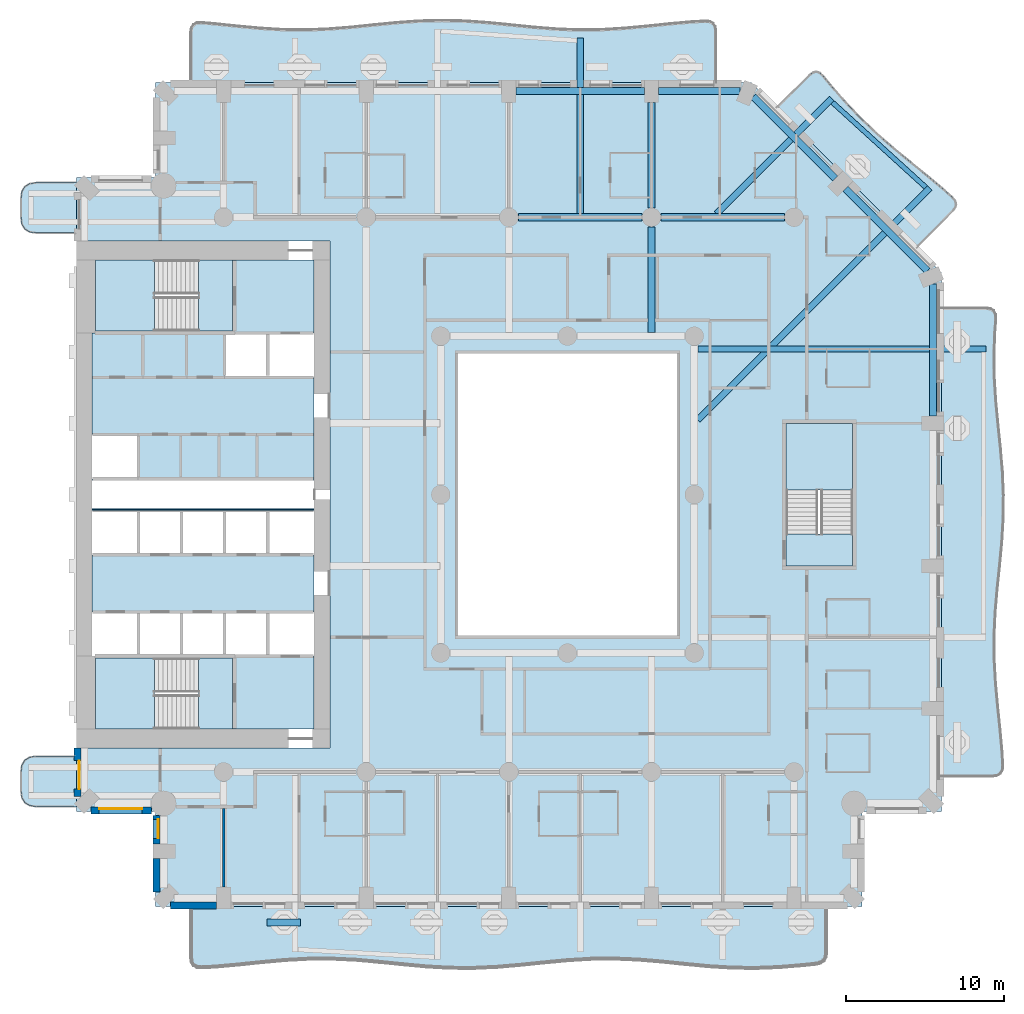
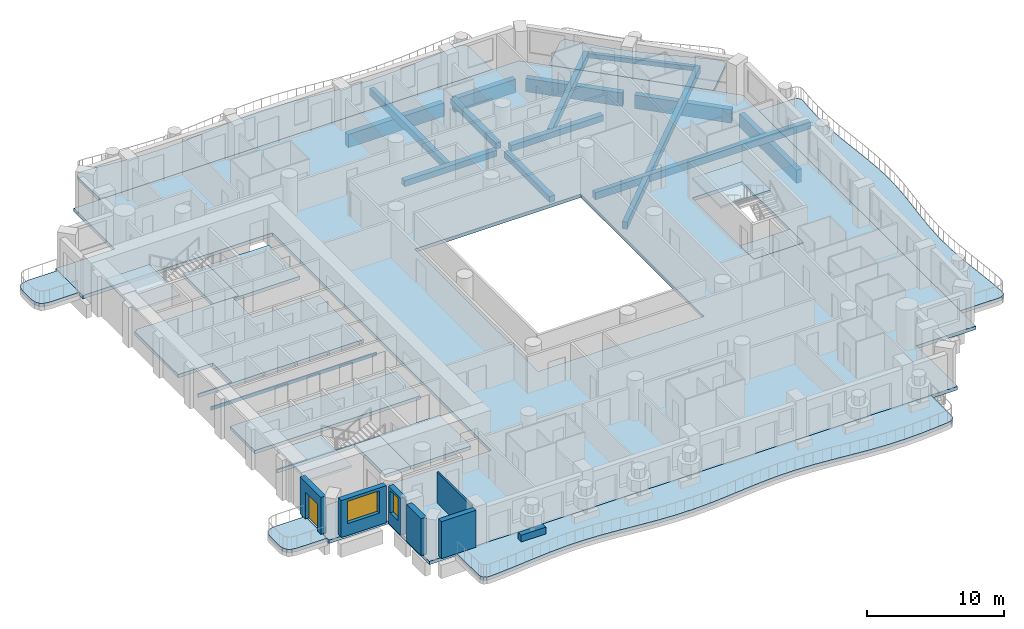
# One storey, part 2 of 20: 17 slabs, 14 beams, 7 walls, 2 windows, 1 door, 3 openings, 3 elements without a shape of their own.
"""IFC4 building model written with IfcOpenShell, lengths in metres."""

from ifc_helpers import new_model, si_unit, direction, frame, frame_2d, origin, origin_2d, place, context, subcontext, project, spatial, polyline, rectangle, outline, extrude, material, layer, layer_set, material_profile, profile_set, type_object, element, fill, aggregate, save


model = new_model("IFC4")

# Units and contexts
model_context = context("Model", 3, precision=1e-05, world=origin(), true_north=direction((0.0, 1.0)))
body_context = subcontext(model_context, "Body", "Model", "MODEL_VIEW")
ifc_project = project(units=[si_unit("LENGTHUNIT", "METRE"), si_unit("AREAUNIT", "SQUARE_METRE"), si_unit("VOLUMEUNIT", "CUBIC_METRE"), si_unit("PLANEANGLEUNIT", "RADIAN"), si_unit("MASSUNIT", "GRAM", prefix="KILO")], contexts=[model_context])

# Site, building, storey
site_placement = place(None, origin())
site = spatial("IfcSite", under=ifc_project, at=site_placement, CompositionType="ELEMENT")
building_placement = place(site_placement, origin())
building = spatial("IfcBuilding", under=site, at=building_placement, Name="Cypress Arch Tower", CompositionType="ELEMENT")
storey_placement = place(building_placement, frame((0.0, 0.0, 77.10009765625)))
storey = spatial("IfcBuildingStorey", under=building, at=storey_placement, Name="L13", CompositionType="ELEMENT", Elevation=77.10009765625)

# Beams
ifc_material_1 = material(Name="Concrete C50/60", Category="concrete")
ifc_material_profile_1 = material_profile(ifc_material_1, rectangle(XDim=0.300048828125, YDim=0.39990234375, at=origin_2d()), Name="RC 300x400")
ifc_profile_set_1 = profile_set([ifc_material_profile_1], Name="Concrete C50/60")
beam_type_1 = type_object("IfcBeamType", Name="Balcony edge beam RC 300x400 Concrete C50/60", PredefinedType="BEAM", material=ifc_profile_set_1)
beam_1_placement = place(storey_placement, frame((23.615478515625, 19.38623046875, -0.5), z_axis=(-0.739547675777, 0.673104178603, 0.0), x_axis=(-0.673104178603, -0.739547675777, 0.0)))
element("IfcBeam", 1, at=beam_1_placement, inside=storey, type_object=beam_type_1, Name="Balcony edge beam L13 A07", PredefinedType="BEAM", context=body_context, shape_type="SweptSolid", body=[
    extrude(rectangle(XDim=0.300048828125, YDim=0.39990234375, at=origin_2d()), origin(), (0.0, 0.0, 1.0), 7.9697265625),
])
ifc_material_2 = material(Name="Concrete C50/60", Category="concrete")
ifc_material_profile_2 = material_profile(ifc_material_2, rectangle(XDim=0.39990234375, YDim=0.64990234375, at=origin_2d()), Name="RC 400x650")
ifc_profile_set_2 = profile_set([ifc_material_profile_2], Name="Concrete C50/60")
beam_type_2 = type_object("IfcBeamType", Name="Cantilever beam RC 400x650 Concrete C50/60", PredefinedType="BEAM", material=ifc_profile_set_2)
beam_2_placement = place(storey_placement, frame((9.22509765625, 9.18798828125, -0.625), z_axis=(1.0, 0.0, 0.0), x_axis=(0.0, 1.0, 0.0)))
element("IfcBeam", 2, at=beam_2_placement, inside=storey, type_object=beam_type_2, Name="Cantilever beam L13 A06 2", PredefinedType="BEAM", context=body_context, shape_type="SweptSolid", body=[
    extrude(rectangle(XDim=0.39990234375, YDim=0.64990234375, at=origin_2d()), origin(), (0.0, 0.0, 1.0), 18.190673828125),
])
beam_3_placement = place(storey_placement, frame((9.22509765625, 4.712890625, -0.625), z_axis=(0.707106781187, 0.707106781187, 0.0), x_axis=(-0.707106781187, 0.707106781187, 0.0)))
element("IfcBeam", 3, at=beam_3_placement, inside=storey, type_object=beam_type_2, Name="Cantilever beam L13 A07 1", PredefinedType="BEAM", context=body_context, shape_type="SweptSolid", body=[
    extrude(rectangle(XDim=0.39990234375, YDim=0.64990234375, at=origin_2d()), origin(), (0.0, 0.0, 1.0), 20.701171875),
])
beam_4_placement = place(storey_placement, frame((10.412841796875, 17.72509765625, -0.625), z_axis=(0.707106781187, 0.707106781187, 0.0), x_axis=(-0.707106781187, 0.707106781187, 0.0)))
element("IfcBeam", 4, at=beam_4_placement, inside=storey, type_object=beam_type_2, Name="Cantilever beam L13 A07 2", PredefinedType="BEAM", context=body_context, shape_type="SweptSolid", body=[
    extrude(rectangle(XDim=0.39990234375, YDim=0.64990234375, at=origin_2d()), origin(), (0.0, 0.0, 1.0), 10.285888671875),
])
beam_5_placement = place(storey_placement, frame((1.800048828125, 17.72509765625, -0.625), z_axis=(0.0, 1.0, 0.0), x_axis=(-1.0, 0.0, 0.0)))
element("IfcBeam", 5, at=beam_5_placement, inside=storey, type_object=beam_type_2, Name="Cantilever beam L13 A08 1", PredefinedType="BEAM", context=body_context, shape_type="SweptSolid", body=[
    extrude(rectangle(XDim=0.39990234375, YDim=0.64990234375, at=origin_2d()), origin(), (0.0, 0.0, 1.0), 11.07861328125),
])
ifc_material_3 = material(Name="Concrete C50/60", Category="concrete")
ifc_material_profile_3 = material_profile(ifc_material_3, rectangle(XDim=0.449951171875, YDim=0.550048828125, at=origin_2d()), Name="RC 450x550")
ifc_profile_set_3 = profile_set([ifc_material_profile_3], Name="Concrete C50/60")
beam_type_3 = type_object("IfcBeamType", Name="Floor beam RC 450x550 Concrete C50/60", PredefinedType="BEAM", material=ifc_profile_set_3)
for number, where, z_axis, x_axis, name in (
    (6, (-2.10009765625, 17.5, -0.5751953125), (1.0, 0.0, 0.0), (0.0, 1.0, 0.0), "Floor beam L13 FB017"),
    (7, (6.89990234375, 17.5, -0.5751953125), (1.0, 0.0, 0.0), (0.0, 1.0, 0.0), "Floor beam L13 FB018"),
):
    element("IfcBeam", number, at=place(storey_placement, frame(where, z_axis=z_axis, x_axis=x_axis)), inside=storey, type_object=beam_type_3, Name=name, PredefinedType="BEAM", context=body_context, shape_type="SweptSolid", body=[
        extrude(rectangle(XDim=0.449951171875, YDim=0.550048828125, at=origin_2d()), origin(), (0.0, 0.0, 1.0), 7.800048828125),
    ])
beam_6_placement = place(storey_placement, frame((6.300048828125, 10.22509765625, -0.5751953125), z_axis=(0.0, 1.0, 0.0), x_axis=(-1.0, 0.0, 0.0)))
element("IfcBeam", 8, at=beam_6_placement, inside=storey, type_object=beam_type_3, Name="Floor beam L13 FB032", PredefinedType="BEAM", context=body_context, shape_type="SweptSolid", body=[
    extrude(rectangle(XDim=0.449951171875, YDim=0.550048828125, at=origin_2d()), origin(), (0.0, 0.0, 1.0), 6.6748046875),
])
beam_7_placement = place(storey_placement, frame((6.300048828125, 18.10009765625, -0.5751953125), z_axis=(0.0, 1.0, 0.0), x_axis=(-1.0, 0.0, 0.0)))
element("IfcBeam", 9, at=beam_7_placement, inside=storey, type_object=beam_type_3, Name="Floor beam L13 FB033", PredefinedType="BEAM", context=body_context, shape_type="SweptSolid", body=[
    extrude(rectangle(XDim=0.449951171875, YDim=0.550048828125, at=origin_2d()), origin(), (0.0, 0.0, 1.0), 6.64990234375),
])
ifc_material_4 = material(Name="Concrete C50/60", Category="concrete")
ifc_material_profile_4 = material_profile(ifc_material_4, rectangle(XDim=0.449951171875, YDim=1.199951171875, at=origin_2d()), Name="RC 450x1200")
ifc_profile_set_4 = profile_set([ifc_material_profile_4], Name="Concrete C50/60")
beam_type_4 = type_object("IfcBeamType", Name="Spandrel beam RC 450x1200 Concrete C50/60", PredefinedType="SPANDREL", material=ifc_profile_set_4)
beam_8_placement = place(storey_placement, frame((24.074951171875, 4.949951171875, -1.550048828125), z_axis=(0.0, 1.0, 0.0), x_axis=(-1.0, 0.0, 0.0)))
element("IfcBeam", 10, at=beam_8_placement, inside=storey, type_object=beam_type_4, Name="Spandrel beam L13 BA06-3", PredefinedType="SPANDREL", context=body_context, shape_type="SweptSolid", body=[
    extrude(rectangle(XDim=0.449951171875, YDim=1.199951171875, at=origin_2d()), origin(), (0.0, 0.0, 1.0), 8.345458984375),
])
for number, where, z_axis, x_axis, name in (
    (11, (23.73046875, 14.126953125, -1.550048828125), (-0.707106781187, 0.707106781187, 0.0), (-0.707106781187, -0.707106781187, 0.0), "Spandrel beam L13 BA07-0"),
    (12, (17.91064453125, 19.947021484375, -1.550048828125), (-0.707106781187, 0.707106781187, 0.0), (-0.707106781187, -0.707106781187, 0.0), "Spandrel beam L13 BA07-1"),
):
    element("IfcBeam", number, at=place(storey_placement, frame(where, z_axis=z_axis, x_axis=x_axis)), inside=storey, type_object=beam_type_4, Name=name, PredefinedType="SPANDREL", context=body_context, shape_type="SweptSolid", body=[
        extrude(rectangle(XDim=0.449951171875, YDim=1.199951171875, at=origin_2d()), origin(), (0.0, 0.0, 1.0), 7.330810546875),
    ])
beam_9_placement = place(storey_placement, frame((11.8955078125, 25.47509765625, -1.550048828125), z_axis=(-1.0, 0.0, 0.0), x_axis=(0.0, -1.0, 0.0)))
element("IfcBeam", 13, at=beam_9_placement, inside=storey, type_object=beam_type_4, Name="Spandrel beam L13 BA08-0", PredefinedType="SPANDREL", context=body_context, shape_type="SweptSolid", body=[
    extrude(rectangle(XDim=0.449951171875, YDim=1.199951171875, at=origin_2d()), origin(), (0.0, 0.0, 1.0), 5.1455078125),
])
beam_10_placement = place(storey_placement, frame((5.85009765625, 25.47509765625, -1.550048828125), z_axis=(-1.0, 0.0, 0.0), x_axis=(0.0, -1.0, 0.0)))
element("IfcBeam", 14, at=beam_10_placement, inside=storey, type_object=beam_type_4, Name="Spandrel beam L13 BA08-1", PredefinedType="SPANDREL", context=body_context, shape_type="SweptSolid", body=[
    extrude(rectangle(XDim=0.449951171875, YDim=1.199951171875, at=origin_2d()), origin(), (0.0, 0.0, 1.0), 8.10009765625),
])

# Slabs
ifc_material_5 = material(Name="Concrete C40/50", Category="concrete")
ifc_layer_1 = layer(ifc_material_5, 0.300048828125)
ifc_layer_set_1 = layer_set([ifc_layer_1], Name="Balcony slab BS300")
slab_type_1 = type_object("IfcSlabType", Name="Balcony slab BS300", PredefinedType="USERDEFINED", material=ifc_layer_set_1)
slab_1_placement = place(storey_placement, frame((0.0, 0.0, -0.300048828125)))
element("IfcSlab", 15, at=slab_1_placement, inside=storey, type_object=slab_type_1, Name="Balcony slab L13-A00W0", ObjectType="BALCONY SLAB", PredefinedType="USERDEFINED", context=body_context, shape_type="SweptSolid", body=[
    extrude(outline(polyline([(-30.0, 19.699951171875), (-32.5, 19.699951171875), (-32.9375, 19.637451171875), (-33.25, 19.449951171875), (-33.4375, 19.137451171875), (-33.5, 18.699951171875), (-33.5, 17.5), (-33.4375, 17.0625), (-33.25, 16.75), (-32.9375, 16.5625), (-32.5, 16.5), (-30.0, 16.5), (-30.0, 19.699951171875)])), origin(), (0.0, 0.0, 1.0), 0.300048828125),
])
slab_2_placement = place(storey_placement, frame((0.0, 0.0, -0.300048828125)))
element("IfcSlab", 16, at=slab_2_placement, inside=storey, type_object=slab_type_1, Name="Balcony slab L13-A00W1", ObjectType="BALCONY SLAB", PredefinedType="USERDEFINED", context=body_context, shape_type="SweptSolid", body=[
    extrude(outline(polyline([(-30.0, -16.5), (-32.5, -16.5), (-32.9375, -16.5625), (-33.25, -16.75), (-33.4375, -17.0625), (-33.5, -17.5), (-33.5, -18.699951171875), (-33.4375, -19.137451171875), (-33.25, -19.449951171875), (-32.9375, -19.637451171875), (-32.5, -19.699951171875), (-30.0, -19.699951171875), (-30.0, -16.5)])), origin(), (0.0, 0.0, 1.0), 0.300048828125),
])
slab_3_placement = place(storey_placement, frame((0.0, 0.0, -0.300048828125)))
element("IfcSlab", 17, at=slab_3_placement, inside=storey, type_object=slab_type_1, Name="Balcony slab L13-A03", ObjectType="BALCONY SLAB", PredefinedType="USERDEFINED", context=body_context, shape_type="SweptSolid", body=[
    extrude(outline(polyline([(-22.75, -26.0), (-22.75, -29.220458984375), (-22.708251953125, -29.51123046875), (-22.5830078125, -29.7138671875), (-22.3740234375, -29.82861328125), (-22.081787109375, -29.855224609375), (-21.264892578125, -29.813232421875), (-19.779541015625, -29.6806640625), (-18.29443359375, -29.52685546875), (-16.809326171875, -29.392333984375), (-15.323974609375, -29.312255859375), (-13.8388671875, -29.307861328125), (-12.353759765625, -29.38037109375), (-10.868408203125, -29.510498046875), (-9.38330078125, -29.6640625), (-7.898193359375, -29.80078125), (-6.412841796875, -29.885009765625), (-4.927734375, -29.89404296875), (-3.442626953125, -29.825927734375), (-1.95751953125, -29.698486328125), (-0.47216796875, -29.544921875), (1.012939453125, -29.406005859375), (2.498046875, -29.318115234375), (3.9833984375, -29.30419921875), (5.468505859375, -29.3681640625), (6.95361328125, -29.492919921875), (8.43896484375, -29.645751953125), (9.924072265625, -29.78662109375), (11.4091796875, -29.87841796875), (12.89453125, -29.897216796875), (14.379638671875, -29.837646484375), (15.86474609375, -29.7158203125), (16.681640625, -29.632080078125), (16.97412109375, -29.56005859375), (17.182861328125, -29.41259765625), (17.308349609375, -29.189697265625), (17.35009765625, -28.8916015625), (17.35009765625, -26.0), (-22.75, -26.0)])), origin(), (0.0, 0.0, 1.0), 0.300048828125),
])
slab_4_placement = place(storey_placement, frame((0.0, 0.0, -0.300048828125)))
element("IfcSlab", 18, at=slab_4_placement, inside=storey, type_object=slab_type_1, Name="Balcony slab L13-A06", ObjectType="BALCONY SLAB", PredefinedType="USERDEFINED", context=body_context, shape_type="SweptSolid", body=[
    extrude(outline(polyline([(24.60009765625, -17.75), (27.8251953125, -17.75), (28.11376953125, -17.70849609375), (28.315185546875, -17.583984375), (28.428955078125, -17.376708984375), (28.45556640625, -17.086181640625), (28.4140625, -16.27490234375), (28.28271484375, -14.800048828125), (28.1298828125, -13.324951171875), (27.995361328125, -11.85009765625), (27.913818359375, -10.375), (27.906494140625, -8.89990234375), (27.975341796875, -7.425048828125), (28.102294921875, -5.949951171875), (28.254638671875, -4.47509765625), (28.392822265625, -3.0), (28.48095703125, -1.52490234375), (28.496337890625, -0.050048828125), (28.434814453125, 1.425048828125), (28.3125, 2.89990234375), (28.160888671875, 4.375), (28.01953125, 5.85009765625), (27.9248046875, 7.324951171875), (27.901611328125, 8.800048828125), (27.955810546875, 10.27490234375), (28.020263671875, 11.086181640625), (28.001953125, 11.376708984375), (27.8935546875, 11.583984375), (27.6953125, 11.70849609375), (27.407470703125, 11.75), (24.60009765625, 11.75), (24.60009765625, -17.75)])), origin(), (0.0, 0.0, 1.0), 0.300048828125),
])
slab_5_placement = place(storey_placement, frame((0.0, 0.0, -0.300048828125)))
element("IfcSlab", 19, at=slab_5_placement, inside=storey, type_object=slab_type_1, Name="Balcony slab L13-A07", ObjectType="BALCONY SLAB", PredefinedType="USERDEFINED", context=body_context, shape_type="SweptSolid", body=[
    extrude(outline(polyline([(23.009033203125, 15.591064453125), (25.318115234375, 17.900146484375), (25.482177734375, 18.119384765625), (25.533447265625, 18.3359375), (25.471435546875, 18.549560546875), (25.296630859375, 18.76025390625), (24.730712890625, 19.272216796875), (23.666015625, 20.167236328125), (22.585205078125, 21.0458984375), (21.51123046875, 21.931396484375), (20.4658203125, 22.845458984375), (19.4638671875, 23.80322265625), (18.510498046875, 24.8095703125), (17.599853515625, 25.8583984375), (17.11376953125, 26.449951171875), (16.911865234375, 26.634033203125), (16.70458984375, 26.7021484375), (16.49169921875, 26.654541015625), (16.27294921875, 26.490966796875), (14.19091796875, 24.408935546875), (23.009033203125, 15.591064453125)])), origin(), (0.0, 0.0, 1.0), 0.300048828125),
])
slab_6_placement = place(storey_placement, frame((0.0, 0.0, -0.300048828125)))
element("IfcSlab", 20, at=slab_6_placement, inside=storey, type_object=slab_type_1, Name="Balcony slab L13-A08", ObjectType="BALCONY SLAB", PredefinedType="USERDEFINED", context=body_context, shape_type="SweptSolid", body=[
    extrude(outline(polyline([(10.35009765625, 26.0), (10.35009765625, 29.2412109375), (10.3095703125, 29.52294921875), (10.18798828125, 29.719482421875), (9.98583984375, 29.830810546875), (9.702392578125, 29.85693359375), (8.910888671875, 29.816650390625), (7.4716796875, 29.68994140625), (6.03271484375, 29.541015625), (4.593505859375, 29.40673828125), (3.154296875, 29.320068359375), (1.71533203125, 29.302734375), (0.276123046875, 29.35888671875), (-1.1630859375, 29.474365234375), (-2.602294921875, 29.62109375), (-4.041259765625, 29.7626953125), (-5.48046875, 29.864013671875), (-6.919677734375, 29.89990234375), (-8.358642578125, 29.862060546875), (-9.7978515625, 29.75927734375), (-11.237060546875, 29.616943359375), (-12.676025390625, 29.470703125), (-14.115234375, 29.3564453125), (-15.554443359375, 29.30224609375), (-16.993408203125, 29.321533203125), (-18.4326171875, 29.409912109375), (-19.871826171875, 29.544921875), (-21.310791015625, 29.69384765625), (-22.102294921875, 29.762939453125), (-22.3857421875, 29.7470703125), (-22.588134765625, 29.642822265625), (-22.70947265625, 29.4501953125), (-22.75, 29.16943359375), (-22.75, 26.0), (10.35009765625, 26.0)])), origin(), (0.0, 0.0, 1.0), 0.300048828125),
])
ifc_material_6 = material(Name="Concrete C40/50", Category="concrete")
ifc_layer_2 = layer(ifc_material_6, 0.300048828125)
ifc_layer_set_2 = layer_set([ifc_layer_2], Name="Core floor CF300")
slab_type_2 = type_object("IfcSlabType", Name="Core floor CF300", PredefinedType="FLOOR", material=ifc_layer_set_2)
slab_7_placement = place(storey_placement, frame((0.0, 0.0, -0.300048828125)))
element("IfcSlab", 21, at=slab_7_placement, inside=storey, type_object=slab_type_2, Name="Core floor", PredefinedType="FLOOR", context=body_context, shape_type="SweptSolid", body=[
    extrude(outline(polyline([(-20.125, -14.800048828125), (-15.0, -14.800048828125), (-15.0, -10.199951171875), (-17.919921875, -10.199951171875), (-20.639892578125, -10.199951171875), (-23.360107421875, -10.199951171875), (-26.080078125, -10.199951171875), (-28.800048828125, -10.199951171875), (-28.800048828125, -10.324951171875), (-22.27490234375, -10.324951171875), (-20.125, -10.324951171875), (-20.125, -14.800048828125)])), origin(), (0.0, 0.0, 1.0), 0.300048828125),
])
slab_8_placement = place(storey_placement, frame((0.0, 0.0, -0.300048828125)))
element("IfcSlab", 22, at=slab_8_placement, inside=storey, type_object=slab_type_2, Name="Core floor", PredefinedType="FLOOR", context=body_context, shape_type="SweptSolid", body=[
    extrude(outline(polyline([(-29.0, -3.800048828125), (-29.0, -7.39990234375), (-26.080078125, -7.39990234375), (-23.360107421875, -7.39990234375), (-20.639892578125, -7.39990234375), (-17.919921875, -7.39990234375), (-15.0, -7.39990234375), (-15.0, -3.800048828125), (-17.919921875, -3.800048828125), (-20.639892578125, -3.800048828125), (-23.360107421875, -3.800048828125), (-26.080078125, -3.800048828125), (-29.0, -3.800048828125)])), origin(), (0.0, 0.0, 1.0), 0.300048828125),
])
slab_9_placement = place(storey_placement, frame((0.0, 0.0, -0.300048828125)))
element("IfcSlab", 23, at=slab_9_placement, inside=storey, type_object=slab_type_2, Name="Core floor", PredefinedType="FLOOR", context=body_context, shape_type="SweptSolid", body=[
    extrude(outline(polyline([(-29.0, 3.800048828125), (-29.0, 10.199951171875), (-28.800048828125, 10.199951171875), (-28.800048828125, 10.324951171875), (-28.60009765625, 10.324951171875), (-22.27490234375, 10.324951171875), (-20.125, 10.324951171875), (-20.125, 14.800048828125), (-15.39990234375, 14.800048828125), (-15.0, 14.800048828125), (-15.0, 10.199951171875), (-15.39990234375, 10.199951171875), (-17.919921875, 10.199951171875), (-20.639892578125, 10.199951171875), (-20.639892578125, 7.39990234375), (-17.919921875, 7.39990234375), (-15.39990234375, 7.39990234375), (-15.0, 7.39990234375), (-15.0, 0.89990234375), (-28.60009765625, 0.89990234375), (-29.0, 0.89990234375), (-29.0, 1.0), (-28.60009765625, 1.0), (-26.080078125, 1.0), (-26.080078125, 3.800048828125), (-28.60009765625, 3.800048828125), (-29.0, 3.800048828125)])), origin(), (0.0, 0.0, 1.0), 0.300048828125),
])
slab_10_placement = place(storey_placement, frame((0.0, 0.0, -0.300048828125)))
element("IfcSlab", 24, at=slab_10_placement, inside=storey, type_object=slab_type_2, Name="Core floor", PredefinedType="FLOOR", context=body_context, shape_type="SweptSolid", body=[
    extrude(outline(polyline([(-22.27490234375, -10.324951171875), (-22.27490234375, -14.800048828125), (-20.125, -14.800048828125), (-20.125, -10.324951171875), (-22.27490234375, -10.324951171875)])), origin(), (0.0, 0.0, 1.0), 0.300048828125),
])
slab_11_placement = place(storey_placement, frame((0.0, 0.0, -0.300048828125)))
element("IfcSlab", 25, at=slab_11_placement, inside=storey, type_object=slab_type_2, Name="Core floor", PredefinedType="FLOOR", context=body_context, shape_type="SweptSolid", body=[
    extrude(outline(polyline([(-20.125, 14.800048828125), (-22.27490234375, 14.800048828125), (-22.27490234375, 10.324951171875), (-20.125, 10.324951171875), (-20.125, 14.800048828125)])), origin(), (0.0, 0.0, 1.0), 0.300048828125),
])
slab_12_placement = place(storey_placement, frame((0.0, 0.0, -0.300048828125)))
element("IfcSlab", 26, at=slab_12_placement, inside=storey, type_object=slab_type_2, Name="Stair floor landing", PredefinedType="FLOOR", context=body_context, shape_type="SweptSolid", body=[
    extrude(outline(polyline([(19.0, -4.5), (19.0, -2.5), (14.800048828125, -2.5), (14.800048828125, -4.5), (19.0, -4.5)])), origin(), (0.0, 0.0, 1.0), 0.300048828125),
])
slab_13_placement = place(storey_placement, frame((0.0, 0.0, -0.300048828125)))
element("IfcSlab", 27, at=slab_13_placement, inside=storey, type_object=slab_type_2, Name="Core floor", PredefinedType="FLOOR", context=body_context, shape_type="SweptSolid", body=[
    extrude(outline(polyline([(-20.639892578125, -1.0), (-23.360107421875, -1.0), (-26.080078125, -1.0), (-28.60009765625, -1.0), (-29.0, -1.0), (-29.0, -0.89990234375), (-28.60009765625, -0.89990234375), (-15.39990234375, -0.89990234375), (-15.0, -0.89990234375), (-15.0, -1.0), (-15.39990234375, -1.0), (-17.919921875, -1.0), (-20.639892578125, -1.0)])), origin(), (0.0, 0.0, 1.0), 0.300048828125),
])
ifc_material_7 = material(Name="Concrete C40/50", Category="concrete")
ifc_layer_3 = layer(ifc_material_7, 0.300048828125)
ifc_layer_set_3 = layer_set([ifc_layer_3], Name="PT flat slab 300 Concrete C40/50")
slab_type_3 = type_object("IfcSlabType", Name="PT flat slab 300 Concrete C40/50", PredefinedType="FLOOR", material=ifc_layer_set_3)
slab_14_placement = place(storey_placement, frame((0.0, 0.0, -0.300048828125)))
element("IfcSlab", 28, at=slab_14_placement, inside=storey, type_object=slab_type_3, Name="Floor slab L13", PredefinedType="FLOOR", context=body_context, shape_type="SweptSolid", body=[
    extrude(outline(polyline([(-30.0, 20.0), (-25.0, 20.0), (-25.0, 26.0), (12.60009765625, 26.0), (24.60009765625, 14.0), (24.60009765625, -20.0), (19.60009765625, -20.0), (19.60009765625, -26.0), (-25.0, -26.0), (-25.0, -20.0), (-30.0, -20.0), (-30.0, -16.0), (-14.0, -16.0), (-14.0, 16.0), (-30.0, 16.0), (-30.0, 20.0)]), holes=[polyline([(-6.0, -9.0), (8.0, -9.0), (8.0, 9.0), (-6.0, 9.0), (-6.0, -9.0)]), polyline([(14.800048828125, -4.5), (19.0, -4.5), (19.0, 4.5), (14.800048828125, 4.5), (14.800048828125, -4.5)])]), origin(), (0.0, 0.0, 1.0), 0.300048828125),
])

# Stair, slab
ifc_material_8 = material(Name="Concrete C40/50", Category="concrete")
stair_type_1 = type_object("IfcStairType", Name="Exit stair ES1636-215", PredefinedType="HALF_TURN_STAIR", material=ifc_material_8)
stair_1_placement = place(storey_placement, origin())
stair_1 = element("IfcStair", 29, at=stair_1_placement, inside=storey, type_object=stair_type_1, Name="L13 Exit stair A", PredefinedType="HALF_TURN_STAIR")
ifc_material_9 = material(Name="Concrete C40/50", Category="concrete")
ifc_layer_4 = layer(ifc_material_9, 0.199951171875)
ifc_layer_set_4 = layer_set([ifc_layer_4], Name="Stair landing SL200")
slab_type_4 = type_object("IfcSlabType", Name="Stair landing SL200", PredefinedType="LANDING", material=ifc_layer_set_4)
slab_15_placement = place(storey_placement, frame((0.0, 0.0, 1.599853515625)))
slab_15 = element("IfcSlab", 30, at=slab_15_placement, type_object=slab_type_4, Name="A landing 1", PredefinedType="LANDING", context=body_context, shape_type="SweptSolid", body=[
    extrude(outline(polyline([(-25.074951171875, -10.324951171875), (-28.800048828125, -10.324951171875), (-28.800048828125, -14.800048828125), (-25.074951171875, -14.800048828125), (-25.074951171875, -10.324951171875)])), origin(), (0.0, 0.0, 1.0), 0.199951171875),
])
aggregate(stair_1, [slab_15])

stair_2_placement = place(storey_placement, origin())
stair_2 = element("IfcStair", 31, at=stair_2_placement, inside=storey, type_object=stair_type_1, Name="L13 Exit stair B", PredefinedType="HALF_TURN_STAIR")
slab_16_placement = place(storey_placement, frame((0.0, 0.0, 1.599853515625)))
slab_16 = element("IfcSlab", 32, at=slab_16_placement, type_object=slab_type_4, Name="B landing 1", PredefinedType="LANDING", context=body_context, shape_type="SweptSolid", body=[
    extrude(outline(polyline([(-25.074951171875, 14.800048828125), (-28.800048828125, 14.800048828125), (-28.800048828125, 10.324951171875), (-25.074951171875, 10.324951171875), (-25.074951171875, 14.800048828125)])), origin(), (0.0, 0.0, 1.0), 0.199951171875),
])
aggregate(stair_2, [slab_16])

ifc_material_10 = material(Name="Concrete C40/50", Category="concrete")
stair_type_2 = type_object("IfcStairType", Name="Exit stair ES1636-200", PredefinedType="HALF_TURN_STAIR", material=ifc_material_10)
stair_3_placement = place(storey_placement, origin())
stair_3 = element("IfcStair", 33, at=stair_3_placement, inside=storey, type_object=stair_type_2, Name="L13 Exit stair C", PredefinedType="HALF_TURN_STAIR")
slab_17_placement = place(storey_placement, frame((0.0, 0.0, 1.599853515625)))
slab_17 = element("IfcSlab", 34, at=slab_17_placement, type_object=slab_type_4, Name="C landing 1", PredefinedType="LANDING", context=body_context, shape_type="SweptSolid", body=[
    extrude(outline(polyline([(19.0, 0.300048828125), (19.0, 4.5), (14.800048828125, 4.5), (14.800048828125, 0.300048828125), (19.0, 0.300048828125)])), origin(), (0.0, 0.0, 1.0), 0.199951171875),
])
aggregate(stair_3, [slab_17])

# Wall
ifc_material_11 = material(Name="Concrete C40/50, waterproofed", Category="concrete")
ifc_layer_5 = layer(ifc_material_11, 0.449951171875)
ifc_layer_set_5 = layer_set([ifc_layer_5], Name="Balcony planter wall PW450")
wall_type_1 = type_object("IfcWallType", Name="Balcony planter wall PW450", PredefinedType="SOLIDWALL", material=ifc_layer_set_5)
wall_1_placement = place(storey_placement, frame((-17.949951171875, -27.0, 0.0), z_axis=(0.0, 0.0, 1.0), x_axis=(1.0, 0.0, 0.0)))
element("IfcWall", 35, at=wall_1_placement, inside=storey, type_object=wall_type_1, Name="Balcony planter wall L13-A03.1", PredefinedType="SOLIDWALL", context=body_context, shape_type="SweptSolid", body=[
    extrude(rectangle(XDim=2.099853515625, YDim=0.449951171875, at=frame_2d((1.0498046875, 0.0))), origin(), (0.0, 0.0, 1.0), 0.599853515625),
])

# Wall, opening, door
ifc_material_12 = material(Name="Brick (red buff blend)", Category="masonry")
ifc_layer_6 = layer(ifc_material_12, 0.449951171875)
ifc_layer_set_6 = layer_set([ifc_layer_6], Name="Brick pier and spandrel wall BW450")
wall_type_2 = type_object("IfcWallType", Name="Brick pier and spandrel wall BW450", PredefinedType="SOLIDWALL", material=ifc_layer_set_6)
wall_2_placement = place(storey_placement, frame((-29.925048828125, -16.0, 0.0), z_axis=(0.0, 0.0, 1.0), x_axis=(0.0, -1.0, 0.0)))
wall_2 = element("IfcWall", 36, at=wall_2_placement, inside=storey, type_object=wall_type_2, Name="Brick wall L13 A00.0.1", PredefinedType="SOLIDWALL", context=body_context, shape_type="SweptSolid", body=[
    extrude(rectangle(XDim=3.063720703125, YDim=0.449951171875, at=frame_2d((1.53173828125, 0.0))), origin(), (0.0, 0.0, 1.0), 3.2998046875),
])
opening_1_placement = place(wall_2_placement, frame((0.78173828125, 0.0, 0.0)))
opening_1 = element("IfcOpeningElement", 37, at=opening_1_placement, cuts=wall_2, Name="Opening D-L13-A00.0.1.9", PredefinedType="OPENING", context=body_context, shape_type="SweptSolid", body=[
    extrude(rectangle(XDim=1.800048828125, YDim=2.39990234375, at=frame_2d((0.89990234375, 1.199951171875))), frame((0.0, 0.23486328125, 0.0), z_axis=(0.0, -1.0, 0.0), x_axis=(1.0, 0.0, 0.0)), (0.0, 0.0, 1.0), 0.469970703125),
])
ifc_material_13 = material(Name="Anodised aluminium, bronze finish, laminated low-emissivity double glazing, large-missile impact rated", Category="aluminium")
door_type = type_object("IfcDoorType", Name="Balcony sliding door 1800x2400", OperationType="SLIDING_TO_LEFT", PredefinedType="DOOR", material=ifc_material_13)
door_placement = place(opening_1_placement, origin())
door = element("IfcDoor", 38, at=door_placement, inside=storey, type_object=door_type, Name="Balcony door L13 A00.0.1.9", OperationType="SLIDING_TO_LEFT", OverallHeight=2.39990234375, OverallWidth=1.800048828125, PredefinedType="DOOR", context=body_context, shape_type="SweptSolid", body=[
    extrude(rectangle(XDim=1.800048828125, YDim=2.39990234375, at=frame_2d((0.89990234375, 1.199951171875))), frame((0.0, 0.1298828125, 0.0), z_axis=(0.0, -1.0, 0.0), x_axis=(1.0, 0.0, 0.0)), (0.0, 0.0, 1.0), 0.050048828125),
])
fill(opening_1, door)

# Wall, opening, window
wall_3_placement = place(storey_placement, frame((-29.063720703125, -19.925048828125, 0.0), z_axis=(0.0, 0.0, 1.0), x_axis=(1.0, 0.0, 0.0)))
wall_3 = element("IfcWall", 39, at=wall_3_placement, inside=storey, type_object=wall_type_2, Name="Brick wall L13 A01.0", PredefinedType="SOLIDWALL", context=body_context, shape_type="SweptSolid", body=[
    extrude(rectangle(XDim=3.80517578125, YDim=0.449951171875, at=frame_2d((1.902587890625, 0.0))), origin(), (0.0, 0.0, 1.0), 3.2998046875),
])
opening_2_placement = place(wall_3_placement, frame((0.513671875, 0.0, 1.050048828125)))
opening_2 = element("IfcOpeningElement", 40, at=opening_2_placement, cuts=wall_3, Name="Opening W270H", PredefinedType="OPENING", context=body_context, shape_type="SweptSolid", body=[
    extrude(rectangle(XDim=2.699951171875, YDim=2.0, at=frame_2d((1.35009765625, 1.0))), frame((0.0, 0.23486328125, 0.0), z_axis=(0.0, -1.0, 0.0), x_axis=(1.0, 0.0, 0.0)), (0.0, 0.0, 1.0), 0.469970703125),
])
ifc_material_14 = material(Name="Anodised aluminium, bronze finish, clear low-emissivity double glazing", Category="aluminium")
window_type_1 = type_object("IfcWindowType", Name="Window Hotel 2700x2000", PartitioningType="SINGLE_PANEL", PredefinedType="WINDOW", material=ifc_material_14)
window_1_placement = place(opening_2_placement, origin())
window_1 = element("IfcWindow", 41, at=window_1_placement, inside=storey, type_object=window_type_1, Name="Window L13 A01.0.1", OverallHeight=2.0, OverallWidth=2.699951171875, PartitioningType="SINGLE_PANEL", PredefinedType="WINDOW", context=body_context, shape_type="SweptSolid", body=[
    extrude(rectangle(XDim=2.699951171875, YDim=2.0, at=frame_2d((1.35009765625, 1.0))), frame((0.0, 0.135009765625, 0.0), z_axis=(0.0, -1.0, 0.0), x_axis=(1.0, 0.0, 0.0)), (0.0, 0.0, 1.0), 0.06005859375),
])
fill(opening_2, window_1)

wall_4_placement = place(storey_placement, frame((-24.925048828125, -20.258544921875, 0.0), z_axis=(0.0, 0.0, 1.0), x_axis=(0.0, -1.0, 0.0)))
wall_4 = element("IfcWall", 42, at=wall_4_placement, inside=storey, type_object=wall_type_2, Name="Brick wall L13 A02.0", PredefinedType="SOLIDWALL", context=body_context, shape_type="SweptSolid", body=[
    extrude(rectangle(XDim=1.79150390625, YDim=0.449951171875, at=frame_2d((0.895751953125, 0.0))), origin(), (0.0, 0.0, 1.0), 3.2998046875),
])
opening_3_placement = place(wall_4_placement, frame((0.241455078125, 0.0, 1.050048828125)))
opening_3 = element("IfcOpeningElement", 43, at=opening_3_placement, cuts=wall_4, Name="Opening W120H", PredefinedType="OPENING", context=body_context, shape_type="SweptSolid", body=[
    extrude(rectangle(XDim=1.199951171875, YDim=2.0, at=frame_2d((0.60009765625, 1.0))), frame((0.0, 0.23486328125, 0.0), z_axis=(0.0, -1.0, 0.0), x_axis=(1.0, 0.0, 0.0)), (0.0, 0.0, 1.0), 0.469970703125),
])
ifc_material_15 = material(Name="Anodised aluminium, bronze finish, clear low-emissivity double glazing", Category="aluminium")
window_type_2 = type_object("IfcWindowType", Name="Window Hotel 1200x2000", PartitioningType="SINGLE_PANEL", PredefinedType="WINDOW", material=ifc_material_15)
window_2_placement = place(opening_3_placement, origin())
window_2 = element("IfcWindow", 44, at=window_2_placement, inside=storey, type_object=window_type_2, Name="Window L13 A02.0.1", OverallHeight=2.0, OverallWidth=1.199951171875, PartitioningType="SINGLE_PANEL", PredefinedType="WINDOW", context=body_context, shape_type="SweptSolid", body=[
    extrude(rectangle(XDim=1.199951171875, YDim=2.0, at=frame_2d((0.60009765625, 1.0))), frame((0.0, 0.135009765625, 0.0), z_axis=(0.0, -1.0, 0.0), x_axis=(1.0, 0.0, 0.0)), (0.0, 0.0, 1.0), 0.06005859375),
])
fill(opening_3, window_2)

# Walls
wall_5_placement = place(storey_placement, frame((-24.925048828125, -22.949951171875, 0.0), z_axis=(0.0, 0.0, 1.0), x_axis=(0.0, -1.0, 0.0)))
element("IfcWall", 45, at=wall_5_placement, inside=storey, type_object=wall_type_2, Name="Brick wall L13 A02.1", PredefinedType="SOLIDWALL", context=body_context, shape_type="SweptSolid", body=[
    extrude(rectangle(XDim=2.11376953125, YDim=0.449951171875, at=frame_2d((1.056884765625, 0.0))), origin(), (0.0, 0.0, 1.0), 3.2998046875),
])
wall_6_placement = place(storey_placement, frame((-24.063720703125, -25.925048828125, 0.0), z_axis=(0.0, 0.0, 1.0), x_axis=(1.0, 0.0, 0.0)))
element("IfcWall", 46, at=wall_6_placement, inside=storey, type_object=wall_type_2, Name="Brick wall L13 A03.0", PredefinedType="SOLIDWALL", context=body_context, shape_type="SweptSolid", body=[
    extrude(rectangle(XDim=2.913818359375, YDim=0.449951171875, at=frame_2d((1.45703125, 0.0))), origin(), (0.0, 0.0, 1.0), 3.2998046875),
])
ifc_material_16 = material(Name="Blockwork, plastered both sides", Category="masonry")
ifc_layer_7 = layer(ifc_material_16, 0.14990234375)
ifc_layer_set_7 = layer_set([ifc_layer_7], Name="Partition PW150")
wall_type_3 = type_object("IfcWallType", Name="Partition PW150", PredefinedType="PARTITIONING", material=ifc_layer_set_7)
wall_7_placement = place(storey_placement, frame((-20.699951171875, -24.75, 0.0), z_axis=(0.0, 0.0, 1.0), x_axis=(0.0, 1.0, 0.0)))
element("IfcWall", 47, at=wall_7_placement, inside=storey, type_object=wall_type_3, Name="Partition", PredefinedType="PARTITIONING", context=body_context, shape_type="SweptSolid", body=[
    extrude(rectangle(XDim=4.949951171875, YDim=0.14990234375, at=frame_2d((2.47509765625, 0.0))), origin(), (0.0, 0.0, 1.0), 2.75),
])

save(model, "model.ifc")
